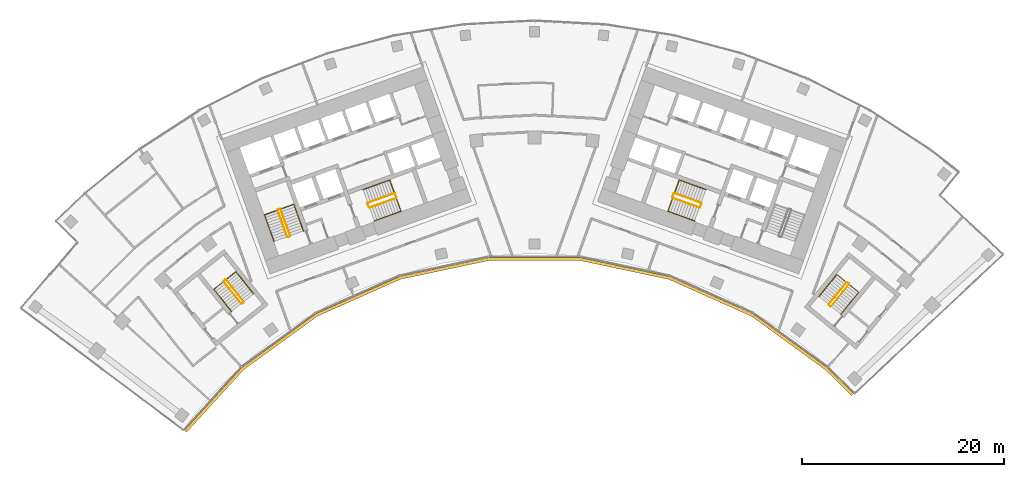
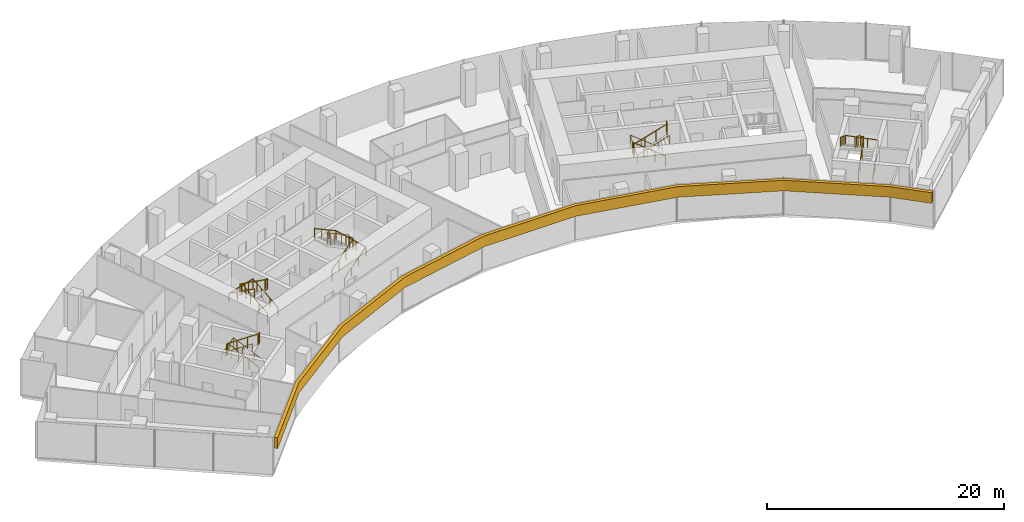
# One storey, part 19 of 20: 15 railings, 1 covering.
"""IFC4 building model written with IfcOpenShell, lengths in metres."""

from ifc_helpers import new_model, si_unit, direction, frame, origin, origin_2d, place, context, subcontext, project, spatial, polyline, circle, outline, extrude, material, layer, layer_set, type_object, element, save


model = new_model("IFC4")

# Units and contexts
model_context = context("Model", 3, precision=1e-05, world=origin(), true_north=direction((0.0, 1.0)))
body_context = subcontext(model_context, "Body", "Model", "MODEL_VIEW")
ifc_project = project(units=[si_unit("LENGTHUNIT", "METRE"), si_unit("AREAUNIT", "SQUARE_METRE"), si_unit("VOLUMEUNIT", "CUBIC_METRE"), si_unit("PLANEANGLEUNIT", "RADIAN"), si_unit("MASSUNIT", "GRAM", prefix="KILO")], contexts=[model_context])

# Site, building, storey
site_placement = place(None, origin())
site = spatial("IfcSite", under=ifc_project, at=site_placement, CompositionType="ELEMENT")
building_placement = place(site_placement, origin())
building = spatial("IfcBuilding", under=site, at=building_placement, Name="Stone Belt Terrace Tower", CompositionType="ELEMENT")
storey_placement = place(building_placement, frame((0.0, 0.0, 185.800048828125)))
storey = spatial("IfcBuildingStorey", under=building, at=storey_placement, Name="L45", CompositionType="ELEMENT", Elevation=185.800048828125)

# Railings
ifc_material_1 = material(Name="Structural steel C345", Category="steel")
railing_type_1 = type_object("IfcRailingType", Name="Stair guard 1100", PredefinedType="GUARDRAIL", material=ifc_material_1)
railing_1_placement = place(storey_placement, frame((-24.2119140625, 45.276123046875, 0.172607421875)))
element("IfcRailing", 1, at=railing_1_placement, inside=storey, type_object=railing_type_1, Name="L45 ST1A stair guard 1", PredefinedType="GUARDRAIL", context=body_context, shape_type="SweptSolid", body=[
    extrude(circle(Radius=0.02392578125, at=origin_2d()), frame((0.0, 0.0, 1.076171875), z_axis=(-0.288228637646, 0.800791768495, 0.525030280985), x_axis=(-0.940908529223, -0.338660803216, 0.0)), (0.0, 0.0, 1.0), 3.289794921875),
    extrude(circle(Radius=0.02392578125, at=origin_2d()), frame((-0.9482421875, 2.634521484375, 2.80322265625), z_axis=(-0.905209821074, 0.424964916, 0.0), x_axis=(-0.424964916, -0.905209821074, 0.0)), (0.0, 0.0, 1.0), 0.070556640625),
    extrude(circle(Radius=0.02392578125, at=origin_2d()), frame((-1.01220703125, 2.66455078125, 2.80322265625), z_axis=(-0.941105063269, -0.338114270461, 0.0), x_axis=(0.338114270461, -0.941105063269, 0.0)), (0.0, 0.0, 1.0), 0.199951171875),
    extrude(circle(Radius=0.02099609375, at=origin_2d()), origin(), (0.0, 0.0, 1.0), 1.052001953125),
    extrude(circle(Radius=0.02099609375, at=origin_2d()), frame((-0.316162109375, 0.878173828125, 0.57568359375)), (0.0, 0.0, 1.0), 1.052001953125),
    extrude(circle(Radius=0.02099609375, at=origin_2d()), frame((-0.632080078125, 1.75634765625, 1.151611328125)), (0.0, 0.0, 1.0), 1.052001953125),
    extrude(circle(Radius=0.02099609375, at=origin_2d()), frame((-0.9482421875, 2.634521484375, 1.727294921875)), (0.0, 0.0, 1.0), 1.052001953125),
    extrude(circle(Radius=0.02099609375, at=origin_2d()), frame((-1.01220703125, 2.66455078125, 1.727294921875)), (0.0, 0.0, 1.0), 1.052001953125),
    extrude(circle(Radius=0.02099609375, at=origin_2d()), frame((-1.200439453125, 2.596923828125, 1.727294921875)), (0.0, 0.0, 1.0), 1.052001953125),
])
railing_2_placement = place(storey_placement, frame((-25.4423828125, 47.80908203125, 2.07275390625)))
element("IfcRailing", 2, at=railing_2_placement, inside=storey, type_object=railing_type_1, Name="L45 ST1A stair guard 2", PredefinedType="GUARDRAIL", context=body_context, shape_type="SweptSolid", body=[
    extrude(circle(Radius=0.02392578125, at=origin_2d()), frame((0.0, 0.0, 1.076171875), z_axis=(0.288228637646, -0.800791768495, 0.525030280985), x_axis=(0.940908529223, 0.338660803216, 0.0)), (0.0, 0.0, 1.0), 3.289794921875),
    extrude(circle(Radius=0.02392578125, at=origin_2d()), frame((0.9482421875, -2.634521484375, 2.80322265625), z_axis=(0.903878284585, -0.427789722475, 0.0), x_axis=(0.427789722475, 0.903878284585, 0.0)), (0.0, 0.0, 1.0), 0.07080078125),
    extrude(circle(Radius=0.02392578125, at=origin_2d()), frame((1.01220703125, -2.664794921875, 2.80322265625), z_axis=(0.940575576748, 0.339584429008, 0.0), x_axis=(-0.339584429008, 0.940575576748, 0.0)), (0.0, 0.0, 1.0), 0.199951171875),
    extrude(circle(Radius=0.02099609375, at=origin_2d()), origin(), (0.0, 0.0, 1.0), 1.052001953125),
    extrude(circle(Radius=0.02099609375, at=origin_2d()), frame((0.316162109375, -0.878173828125, 0.57568359375)), (0.0, 0.0, 1.0), 1.052001953125),
    extrude(circle(Radius=0.02099609375, at=origin_2d()), frame((0.632080078125, -1.75634765625, 1.151611328125)), (0.0, 0.0, 1.0), 1.052001953125),
    extrude(circle(Radius=0.02099609375, at=origin_2d()), frame((0.9482421875, -2.634521484375, 1.727294921875)), (0.0, 0.0, 1.0), 1.052001953125),
    extrude(circle(Radius=0.02099609375, at=origin_2d()), frame((1.01220703125, -2.664794921875, 1.727294921875)), (0.0, 0.0, 1.0), 1.052001953125),
    extrude(circle(Radius=0.02099609375, at=origin_2d()), frame((1.2001953125, -2.596923828125, 1.727294921875)), (0.0, 0.0, 1.0), 1.052001953125),
])
railing_3_placement = place(storey_placement, frame((-16.33837890625, 48.056640625, 0.172607421875)))
element("IfcRailing", 3, at=railing_3_placement, inside=storey, type_object=railing_type_1, Name="L45 ST2A stair guard 1", PredefinedType="GUARDRAIL", context=body_context, shape_type="SweptSolid", body=[
    extrude(circle(Radius=0.02392578125, at=origin_2d()), frame((0.0, 0.0, 1.076171875), z_axis=(0.800808895155, 0.288160591223, 0.52504150989), x_axis=(-0.338583606334, 0.940936311087, 0.0)), (0.0, 0.0, 1.0), 3.289794921875),
    extrude(circle(Radius=0.02392578125, at=origin_2d()), frame((2.634521484375, 0.947998046875, 2.80322265625), z_axis=(0.427789722475, 0.903878284585, 0.0), x_axis=(-0.903878284585, 0.427789722475, 0.0)), (0.0, 0.0, 1.0), 0.07080078125),
    extrude(circle(Radius=0.02392578125, at=origin_2d()), frame((2.664794921875, 1.011962890625, 2.80322265625), z_axis=(-0.338654645739, 0.940910745459, 0.0), x_axis=(-0.940910745459, -0.338654645739, 0.0)), (0.0, 0.0, 1.0), 0.400146484375),
    extrude(circle(Radius=0.02099609375, at=origin_2d()), origin(), (0.0, 0.0, 1.0), 1.052001953125),
    extrude(circle(Radius=0.02099609375, at=origin_2d()), frame((0.878173828125, 0.31591796875, 0.57568359375)), (0.0, 0.0, 1.0), 1.052001953125),
    extrude(circle(Radius=0.02099609375, at=origin_2d()), frame((1.75634765625, 0.632080078125, 1.151611328125)), (0.0, 0.0, 1.0), 1.052001953125),
    extrude(circle(Radius=0.02099609375, at=origin_2d()), frame((2.634521484375, 0.947998046875, 1.727294921875)), (0.0, 0.0, 1.0), 1.052001953125),
    extrude(circle(Radius=0.02099609375, at=origin_2d()), frame((2.664794921875, 1.011962890625, 1.727294921875)), (0.0, 0.0, 1.0), 1.052001953125),
    extrude(circle(Radius=0.02099609375, at=origin_2d()), frame((2.529296875, 1.388427734375, 1.727294921875)), (0.0, 0.0, 1.0), 1.052001953125),
])
railing_4_placement = place(storey_placement, frame((-13.873046875, 49.47509765625, 2.07275390625)))
element("IfcRailing", 4, at=railing_4_placement, inside=storey, type_object=railing_type_1, Name="L45 ST2A stair guard 2", PredefinedType="GUARDRAIL", context=body_context, shape_type="SweptSolid", body=[
    extrude(circle(Radius=0.02392578125, at=origin_2d()), frame((0.0, 0.0, 1.076171875), z_axis=(-0.800808895155, -0.288160591223, 0.52504150989), x_axis=(0.338583606334, -0.940936311087, 0.0)), (0.0, 0.0, 1.0), 3.289794921875),
    extrude(circle(Radius=0.02392578125, at=origin_2d()), frame((-2.634521484375, -0.947998046875, 2.80322265625), z_axis=(-0.427789722475, -0.903878284585, 0.0), x_axis=(0.903878284585, -0.427789722475, 0.0)), (0.0, 0.0, 1.0), 0.07080078125),
    extrude(circle(Radius=0.02392578125, at=origin_2d()), frame((-2.664794921875, -1.011962890625, 2.80322265625), z_axis=(0.338654645739, -0.940910745459, 0.0), x_axis=(0.940910745459, 0.338654645739, 0.0)), (0.0, 0.0, 1.0), 0.400146484375),
    extrude(circle(Radius=0.02099609375, at=origin_2d()), origin(), (0.0, 0.0, 1.0), 1.052001953125),
    extrude(circle(Radius=0.02099609375, at=origin_2d()), frame((-0.878173828125, -0.31591796875, 0.57568359375)), (0.0, 0.0, 1.0), 1.052001953125),
    extrude(circle(Radius=0.02099609375, at=origin_2d()), frame((-1.75634765625, -0.632080078125, 1.151611328125)), (0.0, 0.0, 1.0), 1.052001953125),
    extrude(circle(Radius=0.02099609375, at=origin_2d()), frame((-2.634521484375, -0.947998046875, 1.727294921875)), (0.0, 0.0, 1.0), 1.052001953125),
    extrude(circle(Radius=0.02099609375, at=origin_2d()), frame((-2.664794921875, -1.011962890625, 1.727294921875)), (0.0, 0.0, 1.0), 1.052001953125),
    extrude(circle(Radius=0.02099609375, at=origin_2d()), frame((-2.529296875, -1.388427734375, 1.727294921875)), (0.0, 0.0, 1.0), 1.052001953125),
])
railing_5_placement = place(storey_placement, frame((16.507568359375, 48.527099609375, 0.172607421875)))
element("IfcRailing", 5, at=railing_5_placement, inside=storey, type_object=railing_type_1, Name="L45 ST2B stair guard 1", PredefinedType="GUARDRAIL", context=body_context, shape_type="SweptSolid", body=[
    extrude(circle(Radius=0.02392578125, at=origin_2d()), frame((0.0, 0.0, 1.076171875), z_axis=(-0.800808895155, 0.288160591223, 0.52504150989), x_axis=(-0.338583606334, -0.940936311087, 0.0)), (0.0, 0.0, 1.0), 3.289794921875),
    extrude(circle(Radius=0.02392578125, at=origin_2d()), frame((-2.634521484375, 0.947998046875, 2.80322265625), z_axis=(-0.905209821074, -0.424964916, 0.0), x_axis=(0.424964916, -0.905209821074, 0.0)), (0.0, 0.0, 1.0), 0.070556640625),
    extrude(circle(Radius=0.02392578125, at=origin_2d()), frame((-2.698486328125, 0.91796875, 2.80322265625), z_axis=(-0.338654645739, -0.940910745459, 0.0), x_axis=(0.940910745459, -0.338654645739, 0.0)), (0.0, 0.0, 1.0), 0.400146484375),
    extrude(circle(Radius=0.02099609375, at=origin_2d()), origin(), (0.0, 0.0, 1.0), 1.052001953125),
    extrude(circle(Radius=0.02099609375, at=origin_2d()), frame((-0.878173828125, 0.31591796875, 0.57568359375)), (0.0, 0.0, 1.0), 1.052001953125),
    extrude(circle(Radius=0.02099609375, at=origin_2d()), frame((-1.75634765625, 0.632080078125, 1.151611328125)), (0.0, 0.0, 1.0), 1.052001953125),
    extrude(circle(Radius=0.02099609375, at=origin_2d()), frame((-2.634521484375, 0.947998046875, 1.727294921875)), (0.0, 0.0, 1.0), 1.052001953125),
    extrude(circle(Radius=0.02099609375, at=origin_2d()), frame((-2.698486328125, 0.91796875, 1.727294921875)), (0.0, 0.0, 1.0), 1.052001953125),
    extrude(circle(Radius=0.02099609375, at=origin_2d()), frame((-2.833984375, 0.54150390625, 1.727294921875)), (0.0, 0.0, 1.0), 1.052001953125),
])
railing_6_placement = place(storey_placement, frame((13.703857421875, 49.004638671875, 2.07275390625)))
element("IfcRailing", 6, at=railing_6_placement, inside=storey, type_object=railing_type_1, Name="L45 ST2B stair guard 2", PredefinedType="GUARDRAIL", context=body_context, shape_type="SweptSolid", body=[
    extrude(circle(Radius=0.02392578125, at=origin_2d()), frame((0.0, 0.0, 1.076171875), z_axis=(0.800808895155, -0.288160591223, 0.52504150989), x_axis=(0.338583606334, 0.940936311087, 0.0)), (0.0, 0.0, 1.0), 3.289794921875),
    extrude(circle(Radius=0.02392578125, at=origin_2d()), frame((2.634521484375, -0.947998046875, 2.80322265625), z_axis=(0.905209821074, 0.424964916, 0.0), x_axis=(-0.424964916, 0.905209821074, 0.0)), (0.0, 0.0, 1.0), 0.070556640625),
    extrude(circle(Radius=0.02392578125, at=origin_2d()), frame((2.698486328125, -0.91796875, 2.80322265625), z_axis=(0.338654645739, 0.940910745459, 0.0), x_axis=(-0.940910745459, 0.338654645739, 0.0)), (0.0, 0.0, 1.0), 0.400146484375),
    extrude(circle(Radius=0.02099609375, at=origin_2d()), origin(), (0.0, 0.0, 1.0), 1.052001953125),
    extrude(circle(Radius=0.02099609375, at=origin_2d()), frame((0.878173828125, -0.31591796875, 0.57568359375)), (0.0, 0.0, 1.0), 1.052001953125),
    extrude(circle(Radius=0.02099609375, at=origin_2d()), frame((1.75634765625, -0.632080078125, 1.151611328125)), (0.0, 0.0, 1.0), 1.052001953125),
    extrude(circle(Radius=0.02099609375, at=origin_2d()), frame((2.634521484375, -0.947998046875, 1.727294921875)), (0.0, 0.0, 1.0), 1.052001953125),
    extrude(circle(Radius=0.02099609375, at=origin_2d()), frame((2.698486328125, -0.91796875, 1.727294921875)), (0.0, 0.0, 1.0), 1.052001953125),
    extrude(circle(Radius=0.02099609375, at=origin_2d()), frame((2.833984375, -0.54150390625, 1.727294921875)), (0.0, 0.0, 1.0), 1.052001953125),
])
railing_7_placement = place(storey_placement, frame((-28.814208984375, 38.734619140625, 0.172607421875)))
element("IfcRailing", 7, at=railing_7_placement, inside=storey, type_object=railing_type_1, Name="L45 ST3A stair guard 1", PredefinedType="GUARDRAIL", context=body_context, shape_type="SweptSolid", body=[
    extrude(circle(Radius=0.02392578125, at=origin_2d()), frame((0.0, 0.0, 1.076171875), z_axis=(-0.530306321799, 0.665665785969, 0.525037395288), x_axis=(-0.782143211408, -0.623098705543, 0.0)), (0.0, 0.0, 1.0), 3.289794921875),
    extrude(circle(Radius=0.02392578125, at=origin_2d()), frame((-1.74462890625, 2.18994140625, 2.80322265625), z_axis=(-0.993883734674, 0.110431526075, 0.0), x_axis=(-0.110431526075, -0.993883734674, 0.0)), (0.0, 0.0, 1.0), 0.07080078125),
    extrude(circle(Radius=0.02392578125, at=origin_2d()), frame((-1.81494140625, 2.19775390625, 2.80322265625), z_axis=(-0.782533463299, -0.622608527742, 0.0), x_axis=(0.622608527742, -0.782533463299, 0.0)), (0.0, 0.0, 1.0), 0.199951171875),
    extrude(circle(Radius=0.02099609375, at=origin_2d()), origin(), (0.0, 0.0, 1.0), 1.052001953125),
    extrude(circle(Radius=0.02099609375, at=origin_2d()), frame((-0.58154296875, 0.72998046875, 0.57568359375)), (0.0, 0.0, 1.0), 1.052001953125),
    extrude(circle(Radius=0.02099609375, at=origin_2d()), frame((-1.1630859375, 1.4599609375, 1.151611328125)), (0.0, 0.0, 1.0), 1.052001953125),
    extrude(circle(Radius=0.02099609375, at=origin_2d()), frame((-1.74462890625, 2.18994140625, 1.727294921875)), (0.0, 0.0, 1.0), 1.052001953125),
    extrude(circle(Radius=0.02099609375, at=origin_2d()), frame((-1.81494140625, 2.19775390625, 1.727294921875)), (0.0, 0.0, 1.0), 1.052001953125),
    extrude(circle(Radius=0.02099609375, at=origin_2d()), frame((-1.971435546875, 2.0732421875, 1.727294921875)), (0.0, 0.0, 1.0), 1.052001953125),
])
railing_8_placement = place(storey_placement, frame((-30.793701171875, 40.737548828125, 2.07275390625)))
element("IfcRailing", 8, at=railing_8_placement, inside=storey, type_object=railing_type_1, Name="L45 ST3A stair guard 2", PredefinedType="GUARDRAIL", context=body_context, shape_type="SweptSolid", body=[
    extrude(circle(Radius=0.02392578125, at=origin_2d()), frame((0.0, 0.0, 1.076171875), z_axis=(0.530359659125, -0.665639588968, 0.525016732659), x_axis=(0.782100716982, 0.62315204284, 0.0)), (0.0, 0.0, 1.0), 3.2900390625),
    extrude(circle(Radius=0.02392578125, at=origin_2d()), frame((1.744873046875, -2.18994140625, 2.80322265625), z_axis=(0.993499272973, -0.113838458361, 0.0), x_axis=(0.113838458361, 0.993499272973, 0.0)), (0.0, 0.0, 1.0), 0.07080078125),
    extrude(circle(Radius=0.02392578125, at=origin_2d()), frame((1.815185546875, -2.197998046875, 2.80322265625), z_axis=(0.781464082609, 0.623950228458, 0.0), x_axis=(-0.623950228458, 0.781464082609, 0.0)), (0.0, 0.0, 1.0), 0.199951171875),
    extrude(circle(Radius=0.02099609375, at=origin_2d()), origin(), (0.0, 0.0, 1.0), 1.052001953125),
    extrude(circle(Radius=0.02099609375, at=origin_2d()), frame((0.58154296875, -0.72998046875, 0.57568359375)), (0.0, 0.0, 1.0), 1.052001953125),
    extrude(circle(Radius=0.02099609375, at=origin_2d()), frame((1.163330078125, -1.4599609375, 1.151611328125)), (0.0, 0.0, 1.0), 1.052001953125),
    extrude(circle(Radius=0.02099609375, at=origin_2d()), frame((1.744873046875, -2.18994140625, 1.727294921875)), (0.0, 0.0, 1.0), 1.052001953125),
    extrude(circle(Radius=0.02099609375, at=origin_2d()), frame((1.815185546875, -2.197998046875, 1.727294921875)), (0.0, 0.0, 1.0), 1.052001953125),
    extrude(circle(Radius=0.02099609375, at=origin_2d()), frame((1.971435546875, -2.0732421875, 1.727294921875)), (0.0, 0.0, 1.0), 1.052001953125),
])
railing_9_placement = place(storey_placement, frame((29.39794921875, 38.281982421875, 0.172607421875)))
element("IfcRailing", 9, at=railing_9_placement, inside=storey, type_object=railing_type_1, Name="L45 ST3B stair guard 1", PredefinedType="GUARDRAIL", context=body_context, shape_type="SweptSolid", body=[
    extrude(circle(Radius=0.02392578125, at=origin_2d()), frame((0.0, 0.0, 1.076171875), z_axis=(0.536393061503, 0.660769759217, 0.525038864158), x_axis=(-0.776391310223, 0.630251166924, 0.0)), (0.0, 0.0, 1.0), 3.289794921875),
    extrude(circle(Radius=0.02392578125, at=origin_2d()), frame((1.7646484375, 2.173828125, 2.80322265625), z_axis=(-0.103251414163, 0.994655289773, 0.0), x_axis=(-0.994655289773, -0.103251414163, 0.0)), (0.0, 0.0, 1.0), 0.071044921875),
    extrude(circle(Radius=0.02392578125, at=origin_2d()), frame((1.75732421875, 2.244384765625, 2.80322265625), z_axis=(-0.776561986372, 0.630040856868, 0.0), x_axis=(-0.630040856868, -0.776561986372, 0.0)), (0.0, 0.0, 1.0), 0.199951171875),
    extrude(circle(Radius=0.02099609375, at=origin_2d()), origin(), (0.0, 0.0, 1.0), 1.052001953125),
    extrude(circle(Radius=0.02099609375, at=origin_2d()), frame((0.588134765625, 0.724609375, 0.57568359375)), (0.0, 0.0, 1.0), 1.052001953125),
    extrude(circle(Radius=0.02099609375, at=origin_2d()), frame((1.176513671875, 1.44921875, 1.151611328125)), (0.0, 0.0, 1.0), 1.052001953125),
    extrude(circle(Radius=0.02099609375, at=origin_2d()), frame((1.7646484375, 2.173828125, 1.727294921875)), (0.0, 0.0, 1.0), 1.052001953125),
    extrude(circle(Radius=0.02099609375, at=origin_2d()), frame((1.75732421875, 2.244384765625, 1.727294921875)), (0.0, 0.0, 1.0), 1.052001953125),
    extrude(circle(Radius=0.02099609375, at=origin_2d()), frame((1.60205078125, 2.370361328125, 1.727294921875)), (0.0, 0.0, 1.0), 1.052001953125),
])
railing_10_placement = place(storey_placement, frame((30.9296875, 40.64501953125, 2.07275390625)))
element("IfcRailing", 10, at=railing_10_placement, inside=storey, type_object=railing_type_1, Name="L45 ST3B stair guard 2", PredefinedType="GUARDRAIL", context=body_context, shape_type="SweptSolid", body=[
    extrude(circle(Radius=0.02392578125, at=origin_2d()), frame((0.0, 0.0, 1.076171875), z_axis=(-0.536366759382, -0.660811565066, 0.525013118792), x_axis=(0.776425942316, -0.630208502084, 0.0)), (0.0, 0.0, 1.0), 3.2900390625),
    extrude(circle(Radius=0.02392578125, at=origin_2d()), frame((-1.7646484375, -2.174072265625, 2.80322265625), z_axis=(0.103606084259, -0.994618408891, 0.0), x_axis=(0.994618408891, 0.103606084259, 0.0)), (0.0, 0.0, 1.0), 0.07080078125),
    extrude(circle(Radius=0.02392578125, at=origin_2d()), frame((-1.75732421875, -2.244384765625, 2.80322265625), z_axis=(0.776561986372, -0.630040856868, 0.0), x_axis=(0.630040856868, 0.776561986372, 0.0)), (0.0, 0.0, 1.0), 0.199951171875),
    extrude(circle(Radius=0.02099609375, at=origin_2d()), origin(), (0.0, 0.0, 1.0), 1.052001953125),
    extrude(circle(Radius=0.02099609375, at=origin_2d()), frame((-0.588134765625, -0.724609375, 0.57568359375)), (0.0, 0.0, 1.0), 1.052001953125),
    extrude(circle(Radius=0.02099609375, at=origin_2d()), frame((-1.176513671875, -1.449462890625, 1.151611328125)), (0.0, 0.0, 1.0), 1.052001953125),
    extrude(circle(Radius=0.02099609375, at=origin_2d()), frame((-1.7646484375, -2.174072265625, 1.727294921875)), (0.0, 0.0, 1.0), 1.052001953125),
    extrude(circle(Radius=0.02099609375, at=origin_2d()), frame((-1.75732421875, -2.244384765625, 1.727294921875)), (0.0, 0.0, 1.0), 1.052001953125),
    extrude(circle(Radius=0.02099609375, at=origin_2d()), frame((-1.60205078125, -2.370361328125, 1.727294921875)), (0.0, 0.0, 1.0), 1.052001953125),
])
railing_type_2 = type_object("IfcRailingType", Name="Stair handrail 900", PredefinedType="HANDRAIL", material=ifc_material_1)
railing_11_placement = place(storey_placement, frame((-22.894775390625, 45.750244140625, 0.172607421875)))
element("IfcRailing", 11, at=railing_11_placement, inside=storey, type_object=railing_type_2, Name="L45 ST1A stair handrail 1", PredefinedType="HANDRAIL", context=body_context, shape_type="SweptSolid", body=[
    extrude(circle(Radius=0.02392578125, at=origin_2d()), frame((0.0, 0.0, 0.8759765625), z_axis=(-0.288160591223, 0.800808895155, 0.52504150989), x_axis=(-0.940936311087, -0.338583606334, 0.0)), (0.0, 0.0, 1.0), 3.289794921875),
    extrude(circle(Radius=0.02392578125, at=origin_2d()), frame((-0.947998046875, 2.634521484375, 2.60302734375), z_axis=(-0.939460408074, -0.338105101667, 0.055669398135), x_axis=(0.338630230244, -0.940919532779, 0.0)), (0.0, 0.0, 1.0), 3.10498046875),
    extrude(circle(Radius=0.02392578125, at=origin_2d()), frame((-3.864990234375, 1.584716796875, 2.77587890625), z_axis=(0.288228637646, -0.800791768495, 0.525030280985), x_axis=(0.940908529223, 0.338660803216, 0.0)), (0.0, 0.0, 1.0), 3.289794921875),
    extrude(circle(Radius=0.02099609375, at=origin_2d()), origin(), (0.0, 0.0, 1.0), 0.851806640625),
    extrude(circle(Radius=0.02099609375, at=origin_2d()), frame((-0.31591796875, 0.878173828125, 0.57568359375)), (0.0, 0.0, 1.0), 0.851806640625),
    extrude(circle(Radius=0.02099609375, at=origin_2d()), frame((-0.632080078125, 1.75634765625, 1.151611328125)), (0.0, 0.0, 1.0), 0.851806640625),
    extrude(circle(Radius=0.02099609375, at=origin_2d()), frame((-0.947998046875, 2.634521484375, 1.727294921875)), (0.0, 0.0, 1.0), 0.851806640625),
    extrude(circle(Radius=0.02099609375, at=origin_2d()), frame((-1.92041015625, 2.28466796875, 1.784912109375)), (0.0, 0.0, 1.0), 0.851806640625),
    extrude(circle(Radius=0.02099609375, at=origin_2d()), frame((-2.892578125, 1.9345703125, 1.842529296875)), (0.0, 0.0, 1.0), 0.851806640625),
    extrude(circle(Radius=0.02099609375, at=origin_2d()), frame((-3.864990234375, 1.584716796875, 1.900146484375)), (0.0, 0.0, 1.0), 0.851806640625),
    extrude(circle(Radius=0.02099609375, at=origin_2d()), frame((-3.548828125, 0.70654296875, 2.475830078125)), (0.0, 0.0, 1.0), 0.851806640625),
    extrude(circle(Radius=0.02099609375, at=origin_2d()), frame((-3.23291015625, -0.171630859375, 3.0517578125)), (0.0, 0.0, 1.0), 0.851806640625),
    extrude(circle(Radius=0.02099609375, at=origin_2d()), frame((-2.916748046875, -1.0498046875, 3.62744140625)), (0.0, 0.0, 1.0), 0.851806640625),
])
railing_12_placement = place(storey_placement, frame((-15.8642578125, 46.7392578125, 0.172607421875)))
element("IfcRailing", 12, at=railing_12_placement, inside=storey, type_object=railing_type_2, Name="L45 ST2A stair handrail 1", PredefinedType="HANDRAIL", context=body_context, shape_type="SweptSolid", body=[
    extrude(circle(Radius=0.02392578125, at=origin_2d()), frame((0.0, 0.0, 0.8759765625), z_axis=(0.800791768495, 0.288228637646, 0.525030280985), x_axis=(-0.338660803216, 0.940908529223, 0.0)), (0.0, 0.0, 1.0), 3.289794921875),
    extrude(circle(Radius=0.02392578125, at=origin_2d()), frame((2.634521484375, 0.9482421875, 2.60302734375), z_axis=(-0.338158948057, 0.939634149308, 0.052308615955), x_axis=(-0.940922302781, -0.338622533404, 0.0)), (0.0, 0.0, 1.0), 3.304443359375),
    extrude(circle(Radius=0.02392578125, at=origin_2d()), frame((1.51708984375, 4.05322265625, 2.77587890625), z_axis=(-0.800791768495, -0.288228637646, 0.525030280985), x_axis=(0.338660803216, -0.940908529223, 0.0)), (0.0, 0.0, 1.0), 3.289794921875),
    extrude(circle(Radius=0.02099609375, at=origin_2d()), origin(), (0.0, 0.0, 1.0), 0.851806640625),
    extrude(circle(Radius=0.02099609375, at=origin_2d()), frame((0.878173828125, 0.316162109375, 0.57568359375)), (0.0, 0.0, 1.0), 0.851806640625),
    extrude(circle(Radius=0.02099609375, at=origin_2d()), frame((1.75634765625, 0.632080078125, 1.151611328125)), (0.0, 0.0, 1.0), 0.851806640625),
    extrude(circle(Radius=0.02099609375, at=origin_2d()), frame((2.634521484375, 0.9482421875, 1.727294921875)), (0.0, 0.0, 1.0), 0.851806640625),
    extrude(circle(Radius=0.02099609375, at=origin_2d()), frame((2.261962890625, 1.983154296875, 1.784912109375)), (0.0, 0.0, 1.0), 0.851806640625),
    extrude(circle(Radius=0.02099609375, at=origin_2d()), frame((1.8896484375, 3.018310546875, 1.842529296875)), (0.0, 0.0, 1.0), 0.851806640625),
    extrude(circle(Radius=0.02099609375, at=origin_2d()), frame((1.51708984375, 4.05322265625, 1.900146484375)), (0.0, 0.0, 1.0), 0.851806640625),
    extrude(circle(Radius=0.02099609375, at=origin_2d()), frame((0.638916015625, 3.737060546875, 2.475830078125)), (0.0, 0.0, 1.0), 0.851806640625),
    extrude(circle(Radius=0.02099609375, at=origin_2d()), frame((-0.2392578125, 3.421142578125, 3.0517578125)), (0.0, 0.0, 1.0), 0.851806640625),
    extrude(circle(Radius=0.02099609375, at=origin_2d()), frame((-1.117431640625, 3.10498046875, 3.62744140625)), (0.0, 0.0, 1.0), 0.851806640625),
])
railing_13_placement = place(storey_placement, frame((16.981689453125, 49.84423828125, 0.172607421875)))
element("IfcRailing", 13, at=railing_13_placement, inside=storey, type_object=railing_type_2, Name="L45 ST2B stair handrail 1", PredefinedType="HANDRAIL", context=body_context, shape_type="SweptSolid", body=[
    extrude(circle(Radius=0.02392578125, at=origin_2d()), frame((0.0, 0.0, 0.8759765625), z_axis=(-0.800791768495, 0.288228637646, 0.525030280985), x_axis=(-0.338660803216, -0.940908529223, 0.0)), (0.0, 0.0, 1.0), 3.289794921875),
    extrude(circle(Radius=0.02392578125, at=origin_2d()), frame((-2.634521484375, 0.9482421875, 2.60302734375), z_axis=(-0.338158948057, -0.939634149308, 0.052308615955), x_axis=(0.940922302781, -0.338622533404, 0.0)), (0.0, 0.0, 1.0), 3.304443359375),
    extrude(circle(Radius=0.02392578125, at=origin_2d()), frame((-3.751953125, -2.15673828125, 2.77587890625), z_axis=(0.800791768495, -0.288228637646, 0.525030280985), x_axis=(0.338660803216, 0.940908529223, 0.0)), (0.0, 0.0, 1.0), 3.289794921875),
    extrude(circle(Radius=0.02099609375, at=origin_2d()), origin(), (0.0, 0.0, 1.0), 0.851806640625),
    extrude(circle(Radius=0.02099609375, at=origin_2d()), frame((-0.878173828125, 0.316162109375, 0.57568359375)), (0.0, 0.0, 1.0), 0.851806640625),
    extrude(circle(Radius=0.02099609375, at=origin_2d()), frame((-1.75634765625, 0.632080078125, 1.151611328125)), (0.0, 0.0, 1.0), 0.851806640625),
    extrude(circle(Radius=0.02099609375, at=origin_2d()), frame((-2.634521484375, 0.9482421875, 1.727294921875)), (0.0, 0.0, 1.0), 0.851806640625),
    extrude(circle(Radius=0.02099609375, at=origin_2d()), frame((-3.007080078125, -0.086669921875, 1.784912109375)), (0.0, 0.0, 1.0), 0.851806640625),
    extrude(circle(Radius=0.02099609375, at=origin_2d()), frame((-3.37939453125, -1.121826171875, 1.842529296875)), (0.0, 0.0, 1.0), 0.851806640625),
    extrude(circle(Radius=0.02099609375, at=origin_2d()), frame((-3.751953125, -2.15673828125, 1.900146484375)), (0.0, 0.0, 1.0), 0.851806640625),
    extrude(circle(Radius=0.02099609375, at=origin_2d()), frame((-2.873779296875, -2.472900390625, 2.475830078125)), (0.0, 0.0, 1.0), 0.851806640625),
    extrude(circle(Radius=0.02099609375, at=origin_2d()), frame((-1.99560546875, -2.788818359375, 3.0517578125)), (0.0, 0.0, 1.0), 0.851806640625),
    extrude(circle(Radius=0.02099609375, at=origin_2d()), frame((-1.117431640625, -3.10498046875, 3.62744140625)), (0.0, 0.0, 1.0), 0.851806640625),
])
railing_14_placement = place(storey_placement, frame((-27.836669921875, 39.513427734375, 0.172607421875)))
element("IfcRailing", 14, at=railing_14_placement, inside=storey, type_object=railing_type_2, Name="L45 ST3A stair handrail 1", PredefinedType="HANDRAIL", context=body_context, shape_type="SweptSolid", body=[
    extrude(circle(Radius=0.02392578125, at=origin_2d()), frame((0.0, 0.0, 0.8759765625), z_axis=(-0.530306321799, 0.665665785969, 0.525037395288), x_axis=(-0.782143211408, -0.623098705543, 0.0)), (0.0, 0.0, 1.0), 3.289794921875),
    extrude(circle(Radius=0.02392578125, at=origin_2d()), frame((-1.74462890625, 2.18994140625, 2.60302734375), z_axis=(-0.78065703189, -0.621914732429, 0.061617076765), x_axis=(0.623098705543, -0.782143211408, 0.0)), (0.0, 0.0, 1.0), 2.80517578125),
    extrude(circle(Radius=0.02392578125, at=origin_2d()), frame((-3.9345703125, 0.4453125, 2.77587890625), z_axis=(0.530306321799, -0.665665785969, 0.525037395288), x_axis=(0.782143211408, 0.623098705543, 0.0)), (0.0, 0.0, 1.0), 3.289794921875),
    extrude(circle(Radius=0.02099609375, at=origin_2d()), origin(), (0.0, 0.0, 1.0), 0.851806640625),
    extrude(circle(Radius=0.02099609375, at=origin_2d()), frame((-0.58154296875, 0.72998046875, 0.57568359375)), (0.0, 0.0, 1.0), 0.851806640625),
    extrude(circle(Radius=0.02099609375, at=origin_2d()), frame((-1.1630859375, 1.4599609375, 1.151611328125)), (0.0, 0.0, 1.0), 0.851806640625),
    extrude(circle(Radius=0.02099609375, at=origin_2d()), frame((-1.74462890625, 2.18994140625, 1.727294921875)), (0.0, 0.0, 1.0), 0.851806640625),
    extrude(circle(Radius=0.02099609375, at=origin_2d()), frame((-2.474609375, 1.6083984375, 1.784912109375)), (0.0, 0.0, 1.0), 0.851806640625),
    extrude(circle(Radius=0.02099609375, at=origin_2d()), frame((-3.20458984375, 1.02685546875, 1.842529296875)), (0.0, 0.0, 1.0), 0.851806640625),
    extrude(circle(Radius=0.02099609375, at=origin_2d()), frame((-3.9345703125, 0.4453125, 1.900146484375)), (0.0, 0.0, 1.0), 0.851806640625),
    extrude(circle(Radius=0.02099609375, at=origin_2d()), frame((-3.35302734375, -0.28466796875, 2.475830078125)), (0.0, 0.0, 1.0), 0.851806640625),
    extrude(circle(Radius=0.02099609375, at=origin_2d()), frame((-2.771484375, -1.0146484375, 3.0517578125)), (0.0, 0.0, 1.0), 0.851806640625),
    extrude(circle(Radius=0.02099609375, at=origin_2d()), frame((-2.18994140625, -1.74462890625, 3.62744140625)), (0.0, 0.0, 1.0), 0.851806640625),
])
railing_15_placement = place(storey_placement, frame((30.36865234375, 37.494140625, 0.172607421875)))
element("IfcRailing", 15, at=railing_15_placement, inside=storey, type_object=railing_type_2, Name="L45 ST3B stair handrail 1", PredefinedType="HANDRAIL", context=body_context, shape_type="SweptSolid", body=[
    extrude(circle(Radius=0.02392578125, at=origin_2d()), frame((0.0, 0.0, 0.8759765625), z_axis=(0.536366759382, 0.660811565066, 0.525013118792), x_axis=(-0.776425942316, 0.630208502084, 0.0)), (0.0, 0.0, 1.0), 3.2900390625),
    extrude(circle(Radius=0.02392578125, at=origin_2d()), frame((1.7646484375, 2.174072265625, 2.60302734375), z_axis=(-0.774950814199, 0.629011171817, 0.061613158501), x_axis=(-0.630208502084, -0.776425942316, 0.0)), (0.0, 0.0, 1.0), 2.805419921875),
    extrude(circle(Radius=0.02392578125, at=origin_2d()), frame((-0.409423828125, 3.938720703125, 2.77587890625), z_axis=(-0.536366759382, -0.660811565066, 0.525013118792), x_axis=(0.776425942316, -0.630208502084, 0.0)), (0.0, 0.0, 1.0), 3.2900390625),
    extrude(circle(Radius=0.02099609375, at=origin_2d()), origin(), (0.0, 0.0, 1.0), 0.851806640625),
    extrude(circle(Radius=0.02099609375, at=origin_2d()), frame((0.588134765625, 0.724609375, 0.57568359375)), (0.0, 0.0, 1.0), 0.851806640625),
    extrude(circle(Radius=0.02099609375, at=origin_2d()), frame((1.176513671875, 1.449462890625, 1.151611328125)), (0.0, 0.0, 1.0), 0.851806640625),
    extrude(circle(Radius=0.02099609375, at=origin_2d()), frame((1.7646484375, 2.174072265625, 1.727294921875)), (0.0, 0.0, 1.0), 0.851806640625),
    extrude(circle(Radius=0.02099609375, at=origin_2d()), frame((1.0400390625, 2.76220703125, 1.784912109375)), (0.0, 0.0, 1.0), 0.851806640625),
    extrude(circle(Radius=0.02099609375, at=origin_2d()), frame((0.315185546875, 3.3505859375, 1.842529296875)), (0.0, 0.0, 1.0), 0.851806640625),
    extrude(circle(Radius=0.02099609375, at=origin_2d()), frame((-0.409423828125, 3.938720703125, 1.900146484375)), (0.0, 0.0, 1.0), 0.851806640625),
    extrude(circle(Radius=0.02099609375, at=origin_2d()), frame((-0.99755859375, 3.214111328125, 2.475830078125)), (0.0, 0.0, 1.0), 0.851806640625),
    extrude(circle(Radius=0.02099609375, at=origin_2d()), frame((-1.5859375, 2.4892578125, 3.0517578125)), (0.0, 0.0, 1.0), 0.851806640625),
    extrude(circle(Radius=0.02099609375, at=origin_2d()), frame((-2.174072265625, 1.7646484375, 3.62744140625)), (0.0, 0.0, 1.0), 0.851806640625),
])

# Covering
ifc_material_2 = material(Name="Terracotta coloured glazed ceramic", Category="masonry")
ifc_layer = layer(ifc_material_2, 0.300048828125)
ifc_layer_set = layer_set([ifc_layer], Name="Terracotta spandrel band 300 x 1100")
covering_type = type_object("IfcCoveringType", Name="Terracotta spandrel band 300 x 1100", PredefinedType="CLADDING", material=ifc_layer_set)
covering_placement = place(storey_placement, frame((0.0, 0.0, 2.699951171875)))
element("IfcCovering", 16, at=covering_placement, inside=storey, type_object=covering_type, Name="BAND L45", PredefinedType="CLADDING", context=body_context, shape_type="SweptSolid", body=[
    extrude(outline(polyline([(-34.688720703125, 25.99951171875), (-29.0068359375, 32.21435546875), (-21.674560546875, 37.54150390625), (-13.395751953125, 41.2275390625), (-4.53125, 43.11181640625), (4.53125, 43.11181640625), (13.395751953125, 41.2275390625), (21.674560546875, 37.54150390625), (29.010009765625, 32.2119140625), (31.645751953125, 29.627197265625), (31.435791015625, 29.4130859375), (28.81591796875, 31.982177734375), (21.523681640625, 37.2802734375), (13.302490234375, 40.940673828125), (4.499755859375, 42.811767578125), (-4.499755859375, 42.811767578125), (-13.302490234375, 40.940673828125), (-21.523681640625, 37.2802734375), (-28.805908203125, 31.989501953125), (-34.46728515625, 25.797119140625), (-34.688720703125, 25.99951171875)])), origin(), (0.0, 0.0, 1.0), 1.10009765625),
])

save(model, "model.ifc")
